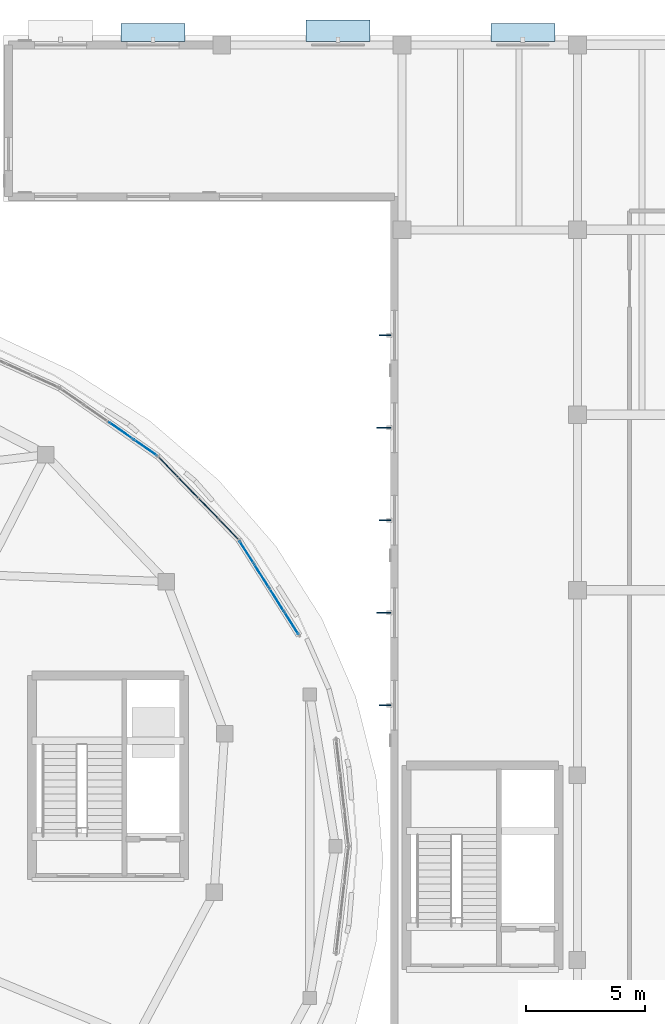
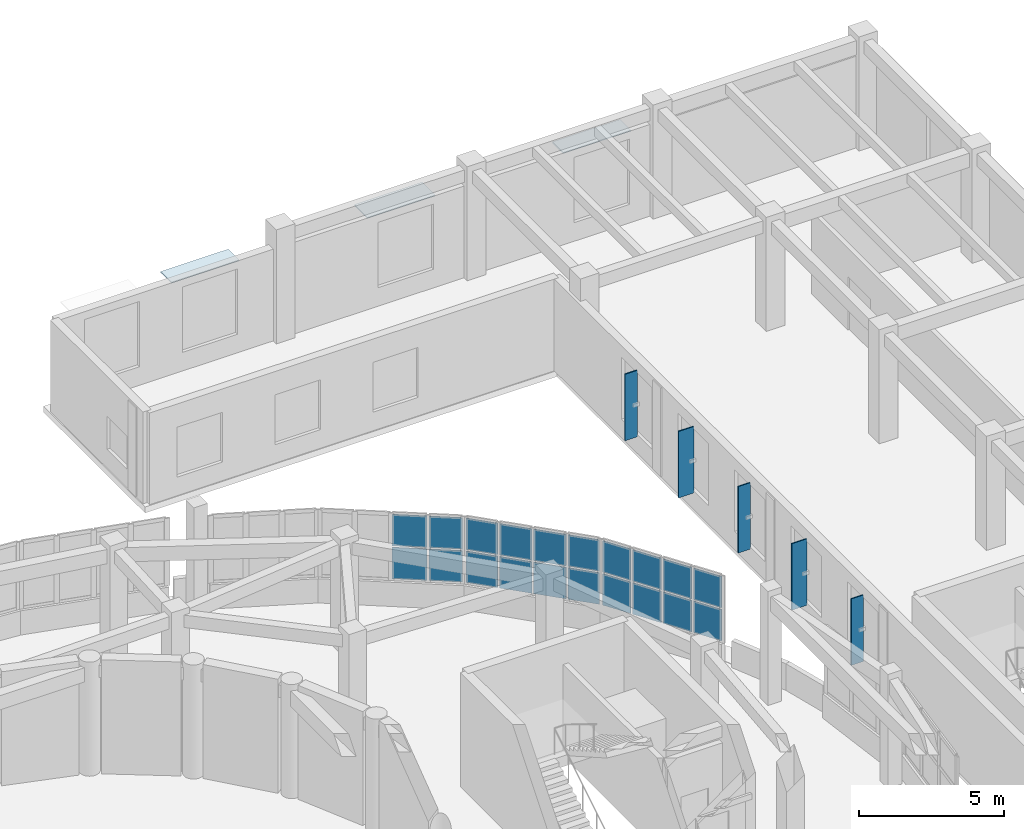
# One storey, part 68 of 98: 28 plates, 3 elements without a shape of their own.
"""IFC4 building model written with IfcOpenShell, lengths in metres."""

from ifc_helpers import new_model, si_unit, direction, frame, origin, origin_2d, place, context, subcontext, project, spatial, rectangle, extrude, material, layer, layer_set, type_object, element, aggregate, save


model = new_model("IFC4")

# Units and contexts
model_context = context("Model", 3, precision=1e-05, world=origin(), true_north=direction((0.0, 1.0)))
body_context = subcontext(model_context, "Body", "Model", "MODEL_VIEW")
ifc_project = project(units=[si_unit("LENGTHUNIT", "METRE"), si_unit("AREAUNIT", "SQUARE_METRE"), si_unit("VOLUMEUNIT", "CUBIC_METRE"), si_unit("PLANEANGLEUNIT", "RADIAN"), si_unit("MASSUNIT", "GRAM", prefix="KILO")], contexts=[model_context])

# Site, building, storey
site_placement = place(None, origin())
site = spatial("IfcSite", under=ifc_project, at=site_placement, CompositionType="ELEMENT")
building_placement = place(site_placement, origin())
building = spatial("IfcBuilding", under=site, at=building_placement, Name="Pelvatis Terrace Science Centre", CompositionType="ELEMENT")
storey_placement = place(building_placement, frame((0.0, 0.0, 5.39990234375)))
storey = spatial("IfcBuildingStorey", under=building, at=storey_placement, Name="L01", CompositionType="ELEMENT", Elevation=5.39990234375)

# Curtain wall, plates
ifc_material_1 = material(Name="Bronze-anodised aluminium and laminated glass", Category="aluminium")
ifc_layer_1 = layer(ifc_material_1, 0.199951171875)
ifc_layer_set_1 = layer_set([ifc_layer_1], Name="Bronze-anodised aluminium and laminated glass")
curtain_wall_type = type_object("IfcCurtainWallType", Name="CW-RIBBON-B", PredefinedType="NOTDEFINED", material=ifc_layer_set_1)
curtain_wall_1_placement = place(storey_placement, origin())
curtain_wall_1 = element("IfcCurtainWall", 1, at=curtain_wall_1_placement, inside=storey, type_object=curtain_wall_type, Name="Ribbon curtain wall CW-127 (L01)", PredefinedType="NOTDEFINED")
ifc_material_2 = material(Name="Low-e laminated solar-control double glazing", Category="glass")
ifc_layer_2 = layer(ifc_material_2, 0.031982421875)
ifc_layer_set_2 = layer_set([ifc_layer_2], Name="Low-e laminated solar-control double glazing")
plate_type_1 = type_object("IfcPlateType", Name="CWP-IGU-32", PredefinedType="CURTAIN_PANEL", material=ifc_layer_set_2)
plate_1_placement = place(storey_placement, frame((136.134765625, 92.213623046875, 1.0849609375), z_axis=(0.0, 0.0, 1.0), x_axis=(-0.533692956019, 0.845678324599, 0.0)))
plate_1 = element("IfcPlate", 2, at=plate_1_placement, type_object=plate_type_1, Name="CW-127 panel 1.1", PredefinedType="CURTAIN_PANEL", context=body_context, shape_type="SweptSolid", body=[
    extrude(rectangle(XDim=1.0908203125, YDim=0.031982421875, at=origin_2d()), origin(), (0.0, 0.0, 1.0), 1.322509765625),
])
plate_2_placement = place(storey_placement, frame((136.134765625, 92.213623046875, 2.47265625), z_axis=(0.0, 0.0, 1.0), x_axis=(-0.533692956019, 0.845678324599, 0.0)))
plate_2 = element("IfcPlate", 3, at=plate_2_placement, type_object=plate_type_1, Name="CW-127 panel 1.2", PredefinedType="CURTAIN_PANEL", context=body_context, shape_type="SweptSolid", body=[
    extrude(rectangle(XDim=1.0908203125, YDim=0.031982421875, at=origin_2d()), origin(), (0.0, 0.0, 1.0), 1.322509765625),
])
plate_3_placement = place(storey_placement, frame((135.50927734375, 93.204833984375, 1.0849609375), z_axis=(0.0, 0.0, 1.0), x_axis=(-0.533692956019, 0.845678324599, 0.0)))
plate_3 = element("IfcPlate", 4, at=plate_3_placement, type_object=plate_type_1, Name="CW-127 panel 2.1", PredefinedType="CURTAIN_PANEL", context=body_context, shape_type="SweptSolid", body=[
    extrude(rectangle(XDim=1.123291015625, YDim=0.031982421875, at=origin_2d()), origin(), (0.0, 0.0, 1.0), 1.322509765625),
])
plate_4_placement = place(storey_placement, frame((135.50927734375, 93.204833984375, 2.47265625), z_axis=(0.0, 0.0, 1.0), x_axis=(-0.533692956019, 0.845678324599, 0.0)))
plate_4 = element("IfcPlate", 5, at=plate_4_placement, type_object=plate_type_1, Name="CW-127 panel 2.2", PredefinedType="CURTAIN_PANEL", context=body_context, shape_type="SweptSolid", body=[
    extrude(rectangle(XDim=1.123291015625, YDim=0.031982421875, at=origin_2d()), origin(), (0.0, 0.0, 1.0), 1.322509765625),
])
plate_5_placement = place(storey_placement, frame((134.875, 94.209716796875, 1.0849609375), z_axis=(0.0, 0.0, 1.0), x_axis=(-0.533692956019, 0.845678324599, 0.0)))
plate_5 = element("IfcPlate", 6, at=plate_5_placement, type_object=plate_type_1, Name="CW-127 panel 3.1", PredefinedType="CURTAIN_PANEL", context=body_context, shape_type="SweptSolid", body=[
    extrude(rectangle(XDim=1.123291015625, YDim=0.031982421875, at=origin_2d()), origin(), (0.0, 0.0, 1.0), 1.322509765625),
])
plate_6_placement = place(storey_placement, frame((134.875, 94.209716796875, 2.47265625), z_axis=(0.0, 0.0, 1.0), x_axis=(-0.533692956019, 0.845678324599, 0.0)))
plate_6 = element("IfcPlate", 7, at=plate_6_placement, type_object=plate_type_1, Name="CW-127 panel 3.2", PredefinedType="CURTAIN_PANEL", context=body_context, shape_type="SweptSolid", body=[
    extrude(rectangle(XDim=1.123291015625, YDim=0.031982421875, at=origin_2d()), origin(), (0.0, 0.0, 1.0), 1.322509765625),
])
plate_7_placement = place(storey_placement, frame((134.24951171875, 95.200927734375, 1.0849609375), z_axis=(0.0, 0.0, 1.0), x_axis=(-0.533692956019, 0.845678324599, 0.0)))
plate_7 = element("IfcPlate", 8, at=plate_7_placement, type_object=plate_type_1, Name="CW-127 panel 4.1", PredefinedType="CURTAIN_PANEL", context=body_context, shape_type="SweptSolid", body=[
    extrude(rectangle(XDim=1.0908203125, YDim=0.031982421875, at=origin_2d()), origin(), (0.0, 0.0, 1.0), 1.322509765625),
])
plate_8_placement = place(storey_placement, frame((134.24951171875, 95.200927734375, 2.47265625), z_axis=(0.0, 0.0, 1.0), x_axis=(-0.533692956019, 0.845678324599, 0.0)))
plate_8 = element("IfcPlate", 9, at=plate_8_placement, type_object=plate_type_1, Name="CW-127 panel 4.2", PredefinedType="CURTAIN_PANEL", context=body_context, shape_type="SweptSolid", body=[
    extrude(rectangle(XDim=1.0908203125, YDim=0.031982421875, at=origin_2d()), origin(), (0.0, 0.0, 1.0), 1.322509765625),
])
aggregate(curtain_wall_1, [plate_1, plate_2, plate_3, plate_4, plate_5, plate_6, plate_7, plate_8])

curtain_wall_2_placement = place(storey_placement, origin())
curtain_wall_2 = element("IfcCurtainWall", 10, at=curtain_wall_2_placement, inside=storey, type_object=curtain_wall_type, Name="Ribbon curtain wall CW-128 (L01)", PredefinedType="NOTDEFINED")
plate_9_placement = place(storey_placement, frame((133.48583984375, 96.169189453125, 1.0849609375), z_axis=(0.0, 0.0, 1.0), x_axis=(-0.69585830686, 0.718179097979, 0.0)))
plate_9 = element("IfcPlate", 11, at=plate_9_placement, type_object=plate_type_1, Name="CW-128 panel 1.1", PredefinedType="CURTAIN_PANEL", context=body_context, shape_type="SweptSolid", body=[
    extrude(rectangle(XDim=1.12890625, YDim=0.031982421875, at=origin_2d()), origin(), (0.0, 0.0, 1.0), 1.322509765625),
])
plate_10_placement = place(storey_placement, frame((133.48583984375, 96.169189453125, 2.47265625), z_axis=(0.0, 0.0, 1.0), x_axis=(-0.69585830686, 0.718179097979, 0.0)))
plate_10 = element("IfcPlate", 12, at=plate_10_placement, type_object=plate_type_1, Name="CW-128 panel 1.2", PredefinedType="CURTAIN_PANEL", context=body_context, shape_type="SweptSolid", body=[
    extrude(rectangle(XDim=1.12890625, YDim=0.031982421875, at=origin_2d()), origin(), (0.0, 0.0, 1.0), 1.322509765625),
])
plate_11_placement = place(storey_placement, frame((132.6435546875, 97.0380859375, 1.0849609375), z_axis=(0.0, 0.0, 1.0), x_axis=(-0.69585830686, 0.718179097979, 0.0)))
plate_11 = element("IfcPlate", 13, at=plate_11_placement, type_object=plate_type_1, Name="CW-128 panel 2.1", PredefinedType="CURTAIN_PANEL", context=body_context, shape_type="SweptSolid", body=[
    extrude(rectangle(XDim=1.161376953125, YDim=0.031982421875, at=origin_2d()), origin(), (0.0, 0.0, 1.0), 1.322509765625),
])
plate_12_placement = place(storey_placement, frame((132.6435546875, 97.0380859375, 2.47265625), z_axis=(0.0, 0.0, 1.0), x_axis=(-0.69585830686, 0.718179097979, 0.0)))
plate_12 = element("IfcPlate", 14, at=plate_12_placement, type_object=plate_type_1, Name="CW-128 panel 2.2", PredefinedType="CURTAIN_PANEL", context=body_context, shape_type="SweptSolid", body=[
    extrude(rectangle(XDim=1.161376953125, YDim=0.031982421875, at=origin_2d()), origin(), (0.0, 0.0, 1.0), 1.322509765625),
])
plate_13_placement = place(storey_placement, frame((131.790283203125, 97.9189453125, 1.0849609375), z_axis=(0.0, 0.0, 1.0), x_axis=(-0.69585830686, 0.718179097979, 0.0)))
plate_13 = element("IfcPlate", 15, at=plate_13_placement, type_object=plate_type_1, Name="CW-128 panel 3.1", PredefinedType="CURTAIN_PANEL", context=body_context, shape_type="SweptSolid", body=[
    extrude(rectangle(XDim=1.161376953125, YDim=0.031982421875, at=origin_2d()), origin(), (0.0, 0.0, 1.0), 1.322509765625),
])
plate_14_placement = place(storey_placement, frame((131.790283203125, 97.9189453125, 2.47265625), z_axis=(0.0, 0.0, 1.0), x_axis=(-0.69585830686, 0.718179097979, 0.0)))
plate_14 = element("IfcPlate", 16, at=plate_14_placement, type_object=plate_type_1, Name="CW-128 panel 3.2", PredefinedType="CURTAIN_PANEL", context=body_context, shape_type="SweptSolid", body=[
    extrude(rectangle(XDim=1.161376953125, YDim=0.031982421875, at=origin_2d()), origin(), (0.0, 0.0, 1.0), 1.322509765625),
])
plate_15_placement = place(storey_placement, frame((130.9482421875, 98.7880859375, 1.0849609375), z_axis=(0.0, 0.0, 1.0), x_axis=(-0.69585830686, 0.718179097979, 0.0)))
plate_15 = element("IfcPlate", 17, at=plate_15_placement, type_object=plate_type_1, Name="CW-128 panel 4.1", PredefinedType="CURTAIN_PANEL", context=body_context, shape_type="SweptSolid", body=[
    extrude(rectangle(XDim=1.12890625, YDim=0.031982421875, at=origin_2d()), origin(), (0.0, 0.0, 1.0), 1.322509765625),
])
plate_16_placement = place(storey_placement, frame((130.9482421875, 98.7880859375, 2.47265625), z_axis=(0.0, 0.0, 1.0), x_axis=(-0.69585830686, 0.718179097979, 0.0)))
plate_16 = element("IfcPlate", 18, at=plate_16_placement, type_object=plate_type_1, Name="CW-128 panel 4.2", PredefinedType="CURTAIN_PANEL", context=body_context, shape_type="SweptSolid", body=[
    extrude(rectangle(XDim=1.12890625, YDim=0.031982421875, at=origin_2d()), origin(), (0.0, 0.0, 1.0), 1.322509765625),
])
aggregate(curtain_wall_2, [plate_9, plate_10, plate_11, plate_12, plate_13, plate_14, plate_15, plate_16])

curtain_wall_3_placement = place(storey_placement, origin())
curtain_wall_3 = element("IfcCurtainWall", 19, at=curtain_wall_3_placement, inside=storey, type_object=curtain_wall_type, Name="Ribbon curtain wall CW-129 (L01)", PredefinedType="NOTDEFINED")
plate_17_placement = place(storey_placement, frame((129.976806640625, 99.61083984375, 1.0849609375), z_axis=(0.0, 0.0, 1.0), x_axis=(-0.82110913391, 0.570771224055, 0.0)))
plate_17 = element("IfcPlate", 20, at=plate_17_placement, type_object=plate_type_1, Name="CW-129 panel 1.1", PredefinedType="CURTAIN_PANEL", context=body_context, shape_type="SweptSolid", body=[
    extrude(rectangle(XDim=1.1689453125, YDim=0.031982421875, at=origin_2d()), origin(), (0.0, 0.0, 1.0), 1.322509765625),
])
plate_18_placement = place(storey_placement, frame((129.976806640625, 99.61083984375, 2.47265625), z_axis=(0.0, 0.0, 1.0), x_axis=(-0.82110913391, 0.570771224055, 0.0)))
plate_18 = element("IfcPlate", 21, at=plate_18_placement, type_object=plate_type_1, Name="CW-129 panel 1.2", PredefinedType="CURTAIN_PANEL", context=body_context, shape_type="SweptSolid", body=[
    extrude(rectangle(XDim=1.1689453125, YDim=0.031982421875, at=origin_2d()), origin(), (0.0, 0.0, 1.0), 1.322509765625),
])
plate_19_placement = place(storey_placement, frame((128.9501953125, 100.324462890625, 1.0849609375), z_axis=(0.0, 0.0, 1.0), x_axis=(-0.82110913391, 0.570771224055, 0.0)))
plate_19 = element("IfcPlate", 22, at=plate_19_placement, type_object=plate_type_1, Name="CW-129 panel 2.1", PredefinedType="CURTAIN_PANEL", context=body_context, shape_type="SweptSolid", body=[
    extrude(rectangle(XDim=1.201416015625, YDim=0.031982421875, at=origin_2d()), origin(), (0.0, 0.0, 1.0), 1.322509765625),
])
plate_20_placement = place(storey_placement, frame((128.9501953125, 100.324462890625, 2.47265625), z_axis=(0.0, 0.0, 1.0), x_axis=(-0.82110913391, 0.570771224055, 0.0)))
plate_20 = element("IfcPlate", 23, at=plate_20_placement, type_object=plate_type_1, Name="CW-129 panel 2.2", PredefinedType="CURTAIN_PANEL", context=body_context, shape_type="SweptSolid", body=[
    extrude(rectangle(XDim=1.201416015625, YDim=0.031982421875, at=origin_2d()), origin(), (0.0, 0.0, 1.0), 1.322509765625),
])
aggregate(curtain_wall_3, [plate_17, plate_18, plate_19, plate_20])

# Plates
ifc_material_3 = material(Name="Perforated architectural bronze brise-soleil fin", Category="aluminium")
ifc_layer_3 = layer(ifc_material_3, 3.10009765625)
ifc_layer_set_3 = layer_set([ifc_layer_3], Name="Perforated architectural bronze brise-soleil fin")
plate_type_2 = type_object("IfcPlateType", Name="PLT-FIN-W480", PredefinedType="SHEET", material=ifc_layer_set_3)
for number, where, z_axis, x_axis, name in (
    (24, (140.08740234375, 88.75, 0.68017578125), (0.0, 0.0, 1.0), (1.0, 0.0, 0.0), "West bronze brise-soleil fin 051"),
    (25, (140.08740234375, 96.550048828125, 0.68017578125), (0.0, 0.0, 1.0), (1.0, 0.0, 0.0), "West bronze brise-soleil fin 053"),
    (26, (140.08740234375, 104.35009765625, 0.68017578125), (0.0, 0.0, 1.0), (1.0, 0.0, 0.0), "West bronze brise-soleil fin 055"),
):
    element("IfcPlate", number, at=place(storey_placement, frame(where, z_axis=z_axis, x_axis=x_axis)), inside=storey, type_object=plate_type_2, Name=name, PredefinedType="SHEET", context=body_context, shape_type="SweptSolid", body=[
        extrude(rectangle(XDim=0.47998046875, YDim=0.044921875, at=origin_2d()), origin(), (0.0, 0.0, 1.0), 2.800048828125),
    ])
ifc_material_4 = material(Name="Perforated architectural bronze brise-soleil fin", Category="aluminium")
ifc_layer_4 = layer(ifc_material_4, 3.39990234375)
ifc_layer_set_4 = layer_set([ifc_layer_4], Name="Perforated architectural bronze brise-soleil fin")
plate_type_3 = type_object("IfcPlateType", Name="PLT-FIN-W600", PredefinedType="SHEET", material=ifc_layer_set_4)
for number, where, z_axis, x_axis, name in (
    (27, (140.027587890625, 92.64990234375, 0.68017578125), (0.0, 0.0, 1.0), (1.0, 0.0, 0.0), "West bronze brise-soleil fin 052"),
    (28, (140.027587890625, 100.449951171875, 0.68017578125), (0.0, 0.0, 1.0), (1.0, 0.0, 0.0), "West bronze brise-soleil fin 054"),
):
    element("IfcPlate", number, at=place(storey_placement, frame(where, z_axis=z_axis, x_axis=x_axis)), inside=storey, type_object=plate_type_3, Name=name, PredefinedType="SHEET", context=body_context, shape_type="SweptSolid", body=[
        extrude(rectangle(XDim=0.60009765625, YDim=0.044921875, at=origin_2d()), origin(), (0.0, 0.0, 1.0), 2.800048828125),
    ])
ifc_material_5 = material(Name="Perforated architectural bronze sunshade canopy", Category="aluminium")
ifc_layer_5 = layer(ifc_material_5, 0.0400390625)
ifc_layer_set_5 = layer_set([ifc_layer_5], Name="Perforated architectural bronze sunshade canopy")
plate_type_4 = type_object("IfcPlateType", Name="PLT-SHD-N750", PredefinedType="SHEET", material=ifc_layer_set_5)
for number, where, z_axis, x_axis, name in (
    (29, (130.300048828125, 117.12744140625, 3.587646484375), (0.0, 0.0, 1.0), (1.0, 0.0, 0.0), "North solar sunshade 039"),
    (30, (145.89990234375, 117.12744140625, 3.587646484375), (0.0, 0.0, 1.0), (1.0, 0.0, 0.0), "North solar sunshade 041"),
):
    element("IfcPlate", number, at=place(storey_placement, frame(where, z_axis=z_axis, x_axis=x_axis)), inside=storey, type_object=plate_type_4, Name=name, PredefinedType="SHEET", context=body_context, shape_type="SweptSolid", body=[
        extrude(rectangle(XDim=2.699951171875, YDim=0.75, at=origin_2d()), origin(), (0.0, 0.0, 1.0), 0.044921875),
    ])
ifc_material_6 = material(Name="Perforated architectural bronze sunshade canopy", Category="aluminium")
ifc_layer_6 = layer(ifc_material_6, 0.044921875)
ifc_layer_set_6 = layer_set([ifc_layer_6], Name="Perforated architectural bronze sunshade canopy")
plate_type_5 = type_object("IfcPlateType", Name="PLT-SHD-N900", PredefinedType="SHEET", material=ifc_layer_set_6)
plate_21_placement = place(storey_placement, frame((138.10009765625, 117.202392578125, 3.587646484375), z_axis=(0.0, 0.0, 1.0), x_axis=(1.0, 0.0, 0.0)))
element("IfcPlate", 31, at=plate_21_placement, inside=storey, type_object=plate_type_5, Name="North solar sunshade 040", PredefinedType="SHEET", context=body_context, shape_type="SweptSolid", body=[
    extrude(rectangle(XDim=2.699951171875, YDim=0.89990234375, at=origin_2d()), origin(), (0.0, 0.0, 1.0), 0.044921875),
])

save(model, "model.ifc")
